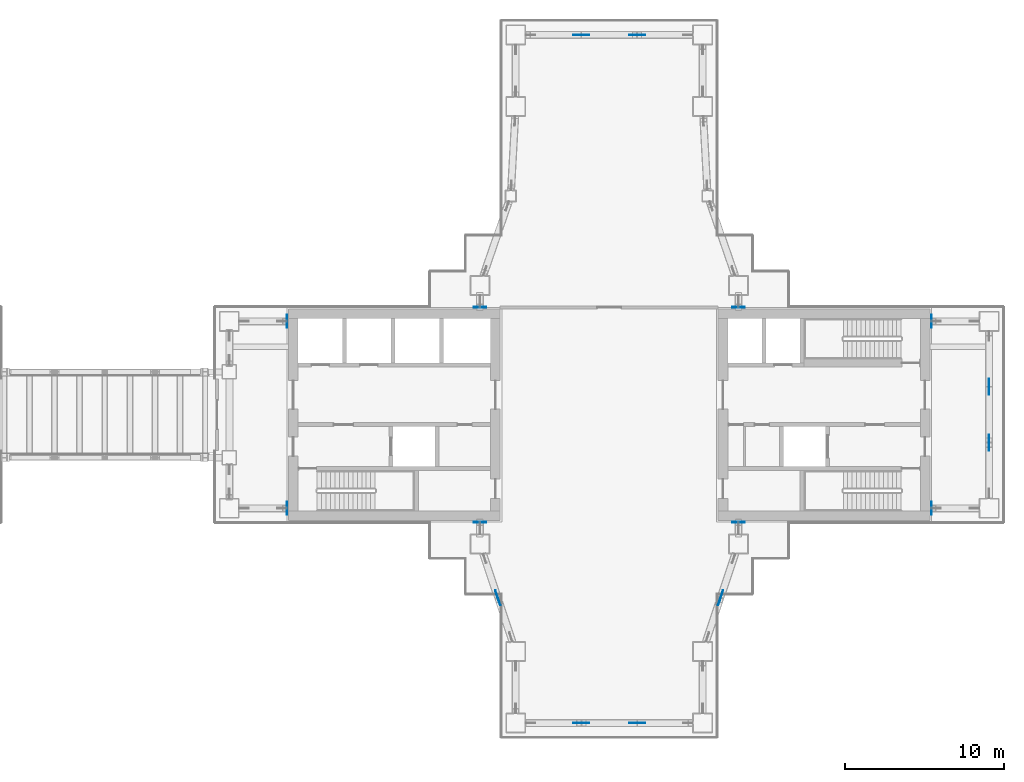
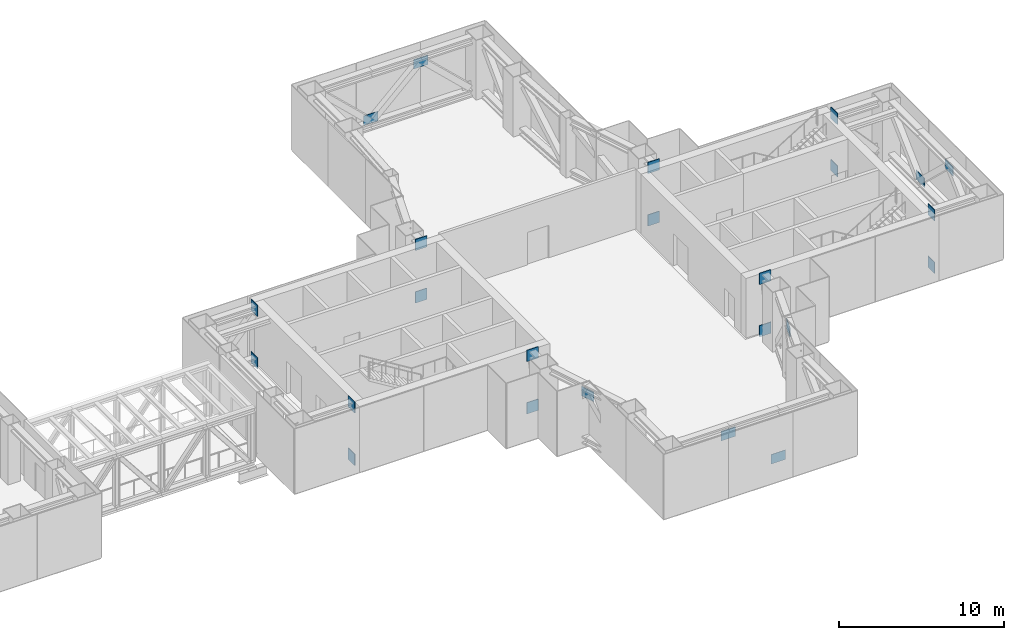
# One storey, part 15 of 21: 24 discrete accessories.
"""IFC4 building model written with IfcOpenShell, lengths in metres."""

from ifc_helpers import new_model, si_unit, direction, frame, origin, origin_2d, place, context, subcontext, project, spatial, rectangle, extrude, material, layer, layer_set, type_object, element, save


model = new_model("IFC4")

# Units and contexts
model_context = context("Model", 3, precision=1e-05, world=origin(), true_north=direction((0.0, 1.0)))
body_context = subcontext(model_context, "Body", "Model", "MODEL_VIEW")
ifc_project = project(units=[si_unit("LENGTHUNIT", "METRE"), si_unit("AREAUNIT", "SQUARE_METRE"), si_unit("VOLUMEUNIT", "CUBIC_METRE"), si_unit("PLANEANGLEUNIT", "RADIAN"), si_unit("MASSUNIT", "GRAM", prefix="KILO")], contexts=[model_context])

# Site, building, storey
site_placement = place(None, origin())
site = spatial("IfcSite", under=ifc_project, at=site_placement, CompositionType="ELEMENT")
building_placement = place(site_placement, origin())
building = spatial("IfcBuilding", under=site, at=building_placement, Name="Shamsa Quay Exchange Towers", CompositionType="ELEMENT")
storey_placement = place(building_placement, frame((0.0, 0.0, 128.699951171875)))
storey = spatial("IfcBuildingStorey", under=building, at=storey_placement, Name="L30", CompositionType="ELEMENT", Elevation=128.699951171875)

# Discrete accessories
ifc_material = material(Name="Steel S355", Category="steel")
ifc_layer_1 = layer(ifc_material, 0.050048828125)
ifc_layer_set_1 = layer_set([ifc_layer_1], Name="Cast-in plate 50x800x831")
discrete_accessory_type_1 = type_object("IfcDiscreteAccessoryType", Name="Cast-in plate 50x800x831", PredefinedType="ANCHORPLATE", material=ifc_layer_set_1)
for number, where, name in (
    (1, (13.5, -5.875, 3.71875), "Cast-in plate T2 L30"),
    (2, (13.5, -5.875, -0.14990234375), "Cast-in plate T2 L30"),
):
    element("IfcDiscreteAccessory", number, at=place(storey_placement, frame(where)), inside=storey, type_object=discrete_accessory_type_1, Name=name, PredefinedType="ANCHORPLATE", context=body_context, shape_type="SweptSolid", body=[
        extrude(rectangle(XDim=0.050048828125, YDim=0.800048828125, at=origin_2d()), origin(), (0.0, 0.0, 1.0), 0.831298828125),
    ])
for number, where, z_axis, x_axis, name in (
    (3, (25.625, -6.75, 3.71875), (0.0, 0.0, 1.0), (0.0, 1.0, 0.0), "Cast-in plate T2 L30"),
    (4, (25.625, -6.75, -0.14990234375), (0.0, 0.0, 1.0), (0.0, 1.0, 0.0), "Cast-in plate T2 L30"),
    (5, (41.875, -6.75, 3.71875), (0.0, 0.0, 1.0), (0.0, 1.0, 0.0), "Cast-in plate T2 L30"),
    (6, (41.875, -6.75, -0.14990234375), (0.0, 0.0, 1.0), (0.0, 1.0, 0.0), "Cast-in plate T2 L30"),
    (7, (54.0, -5.875, 3.71875), (0.0, 0.0, 1.0), (-1.0, 0.0, 0.0), "Cast-in plate T2 L30"),
    (8, (54.0, -5.875, -0.14990234375), (0.0, 0.0, 1.0), (-1.0, 0.0, 0.0), "Cast-in plate T2 L30"),
    (9, (54.0, 5.875, 3.71875), (0.0, 0.0, 1.0), (-1.0, 0.0, 0.0), "Cast-in plate T2 L30"),
    (10, (54.0, 5.875, -0.14990234375), (0.0, 0.0, 1.0), (-1.0, 0.0, 0.0), "Cast-in plate T2 L30"),
    (11, (41.875, 6.75, 3.71875), (0.0, 0.0, 1.0), (0.0, -1.0, 0.0), "Cast-in plate T2 L30"),
    (12, (41.875, 6.75, -0.14990234375), (0.0, 0.0, 1.0), (0.0, -1.0, 0.0), "Cast-in plate T2 L30"),
    (13, (25.625, 6.75, 3.71875), (0.0, 0.0, 1.0), (0.0, -1.0, 0.0), "Cast-in plate T2 L30"),
    (14, (25.625, 6.75, -0.14990234375), (0.0, 0.0, 1.0), (0.0, -1.0, 0.0), "Cast-in plate T2 L30"),
):
    element("IfcDiscreteAccessory", number, at=place(storey_placement, frame(where, z_axis=z_axis, x_axis=x_axis)), inside=storey, type_object=discrete_accessory_type_1, Name=name, PredefinedType="ANCHORPLATE", context=body_context, shape_type="SweptSolid", body=[
        extrude(rectangle(XDim=0.050048828125, YDim=0.800048828125, at=origin_2d()), origin(), (0.0, 0.0, 1.0), 0.831298828125),
    ])
for number, where, name in (
    (15, (13.5, 5.875, 3.71875), "Cast-in plate T2 L30"),
    (16, (13.5, 5.875, -0.14990234375), "Cast-in plate T2 L30"),
):
    element("IfcDiscreteAccessory", number, at=place(storey_placement, frame(where)), inside=storey, type_object=discrete_accessory_type_1, Name=name, PredefinedType="ANCHORPLATE", context=body_context, shape_type="SweptSolid", body=[
        extrude(rectangle(XDim=0.050048828125, YDim=0.800048828125, at=origin_2d()), origin(), (0.0, 0.0, 1.0), 0.831298828125),
    ])
ifc_layer_2 = layer(ifc_material, 0.0400390625)
ifc_layer_set_2 = layer_set([ifc_layer_2], Name="Gusset plate 1000x700x40")
discrete_accessory_type_2 = type_object("IfcDiscreteAccessoryType", Name="Gusset plate 1000x700x40", PredefinedType="BRACKET", material=ifc_layer_set_2)
discrete_accessory_placement = place(storey_placement, frame((26.75, -11.5, 3.31884765625), z_axis=(0.0, 0.0, 1.0), x_axis=(0.316227766018, -0.94868329805, 0.0)))
element("IfcDiscreteAccessory", 17, at=discrete_accessory_placement, inside=storey, type_object=discrete_accessory_type_2, Name="Gusset plate T2 L30", PredefinedType="BRACKET", context=body_context, shape_type="SweptSolid", body=[
    extrude(rectangle(XDim=1.0, YDim=0.0400390625, at=origin_2d()), origin(), (0.0, 0.0, 1.0), 0.699951171875),
])
for number, where, name in (
    (18, (32.0, -19.375, 3.31884765625), "Gusset plate T2 L30"),
    (19, (35.5, -19.375, 0.38134765625), "Gusset plate T2 L30"),
):
    element("IfcDiscreteAccessory", number, at=place(storey_placement, frame(where)), inside=storey, type_object=discrete_accessory_type_2, Name=name, PredefinedType="BRACKET", context=body_context, shape_type="SweptSolid", body=[
        extrude(rectangle(XDim=1.0, YDim=0.0400390625, at=origin_2d()), origin(), (0.0, 0.0, 1.0), 0.699951171875),
    ])
for number, where, z_axis, x_axis, name in (
    (20, (40.75, -11.5, 3.31884765625), (0.0, 0.0, 1.0), (0.316227766018, 0.94868329805, 0.0), "Gusset plate T2 L30"),
    (21, (57.625, -1.75, 3.31884765625), (0.0, 0.0, 1.0), (0.0, 1.0, 0.0), "Gusset plate T2 L30"),
    (22, (57.625, 1.75, 0.38134765625), (0.0, 0.0, 1.0), (0.0, 1.0, 0.0), "Gusset plate T2 L30"),
    (23, (35.5, 23.875, 3.31884765625), (0.0, 0.0, 1.0), (-1.0, 0.0, 0.0), "Gusset plate T2 L30"),
    (24, (32.0, 23.875, 0.38134765625), (0.0, 0.0, 1.0), (-1.0, 0.0, 0.0), "Gusset plate T2 L30"),
):
    element("IfcDiscreteAccessory", number, at=place(storey_placement, frame(where, z_axis=z_axis, x_axis=x_axis)), inside=storey, type_object=discrete_accessory_type_2, Name=name, PredefinedType="BRACKET", context=body_context, shape_type="SweptSolid", body=[
        extrude(rectangle(XDim=1.0, YDim=0.0400390625, at=origin_2d()), origin(), (0.0, 0.0, 1.0), 0.699951171875),
    ])

save(model, "model.ifc")
